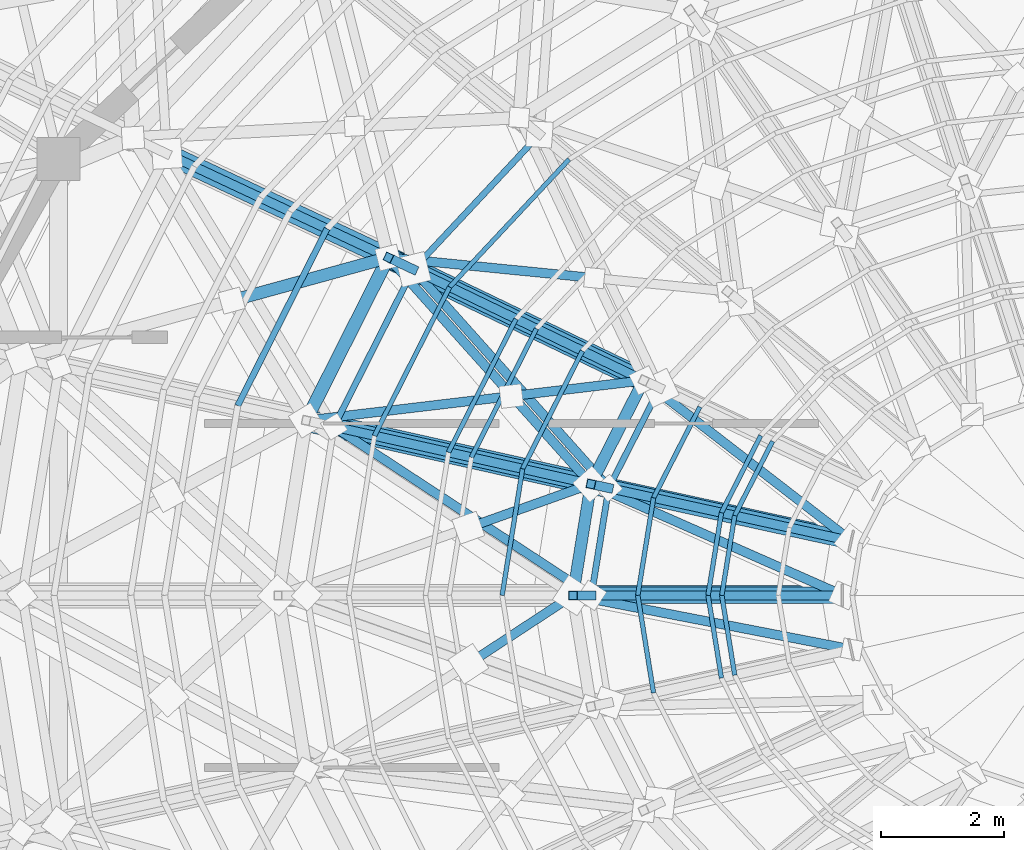
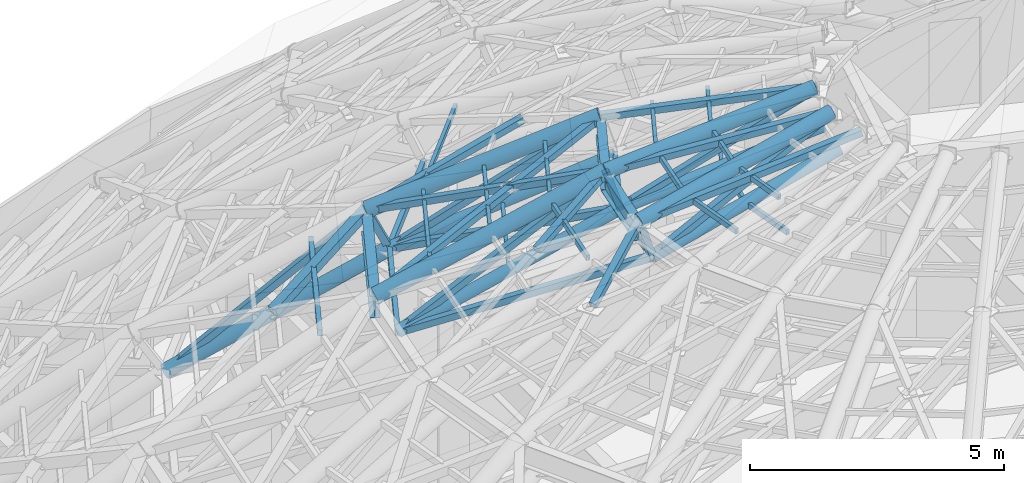
# One storey, part 12 of 50: 49 members, 3 beams.
"""IFC4 building model written with IfcOpenShell, lengths in metres."""

from ifc_helpers import new_model, si_unit, direction, frame, origin, origin_2d, place, context, subcontext, project, spatial, hollow_rectangle, hollow_circle, i_section, extrude, material, material_profile, profile_set, type_object, element, save


model = new_model("IFC4")

# Units and contexts
model_context = context("Model", 3, precision=1e-05, world=origin(), true_north=direction((0.0, 1.0)))
body_context = subcontext(model_context, "Body", "Model", "MODEL_VIEW")
ifc_project = project(units=[si_unit("LENGTHUNIT", "METRE"), si_unit("AREAUNIT", "SQUARE_METRE"), si_unit("VOLUMEUNIT", "CUBIC_METRE"), si_unit("PLANEANGLEUNIT", "RADIAN"), si_unit("MASSUNIT", "GRAM", prefix="KILO")], contexts=[model_context])

# Site, building, storey
site_placement = place(None, origin())
site = spatial("IfcSite", under=ifc_project, at=site_placement, CompositionType="ELEMENT")
building_placement = place(site_placement, origin())
building = spatial("IfcBuilding", under=site, at=building_placement, Name="Cinderbank Siding Concert Hall", CompositionType="ELEMENT")
storey_placement = place(building_placement, frame((0.0, 0.0, 23.699951171875)))
storey = spatial("IfcBuildingStorey", under=building, at=storey_placement, Name="L06", CompositionType="ELEMENT", Elevation=23.699951171875)

# Beams
ifc_material_1 = material(Name="Structural steel AS/NZS 3679.1 Grade 350 (340 MPa)", Category="steel")
ifc_material_profile_1 = material_profile(ifc_material_1, i_section(OverallWidth=0.19091796875, OverallDepth=0.46044921875, WebThickness=0.010009765625, FlangeThickness=0.01611328125, at=origin_2d()), Name="460UB82.1", Category="LoadBearing")
ifc_profile_set_1 = profile_set([ifc_material_profile_1], Name="Structural steel AS/NZS 3679.1 Grade 350 (340 MPa)")
beam_type_1 = type_object("IfcBeamType", Name="BM-UB460H 460UB82.1", PredefinedType="BEAM", material=ifc_profile_set_1)
beam_1_placement = place(storey_placement, frame((114.55224609375, 47.5, 15.769775390625), z_axis=(-0.453543458503, -0.89123416185, 0.0), x_axis=(0.89123416185, -0.453543458503, 0.0)))
element("IfcBeam", 1, at=beam_1_placement, inside=storey, type_object=beam_type_1, Name="L06 Beam BM-UB460H #2098", PredefinedType="BEAM", context=body_context, shape_type="SweptSolid", body=[
    extrude(i_section(OverallWidth=0.19091796875, OverallDepth=0.46044921875, WebThickness=0.010009765625, FlangeThickness=0.01611328125, at=origin_2d()), origin(), (0.0, 0.0, 1.0), 1.894287109375),
])
beam_2_placement = place(storey_placement, frame((113.693115234375, 45.811767578125, 15.769775390625), z_axis=(-0.159759377385, -0.987155986325, 0.0), x_axis=(0.987155986325, -0.159759377385, 0.0)))
element("IfcBeam", 2, at=beam_2_placement, inside=storey, type_object=beam_type_1, Name="L06 Beam BM-UB460H #2099", PredefinedType="BEAM", context=body_context, shape_type="SweptSolid", body=[
    extrude(i_section(OverallWidth=0.19091796875, OverallDepth=0.46044921875, WebThickness=0.010009765625, FlangeThickness=0.01611328125, at=origin_2d()), origin(), (0.0, 0.0, 1.0), 1.83544921875),
])
ifc_material_profile_2 = material_profile(ifc_material_1, i_section(OverallWidth=0.208984375, OverallDepth=0.532958984375, WebThickness=0.01025390625, FlangeThickness=0.015625, at=origin_2d()), Name="530UB92.4", Category="LoadBearing")
ifc_profile_set_2 = profile_set([ifc_material_profile_2], Name="Structural steel AS/NZS 3679.1 Grade 350 (340 MPa)")
beam_type_2 = type_object("IfcBeamType", Name="BM-UB530H 530UB92.4", PredefinedType="BEAM", material=ifc_profile_set_2)
beam_3_placement = place(storey_placement, frame((110.395263671875, 49.5, 13.733642578125), z_axis=(-0.450464034006, -0.892794575514, 0.0), x_axis=(0.892794575514, -0.450464034006, 0.0)))
element("IfcBeam", 3, at=beam_3_placement, inside=storey, type_object=beam_type_2, Name="L06 Beam BM-UB530H #2080", PredefinedType="BEAM", context=body_context, shape_type="SweptSolid", body=[
    extrude(i_section(OverallWidth=0.208984375, OverallDepth=0.532958984375, WebThickness=0.01025390625, FlangeThickness=0.015625, at=origin_2d()), origin(), (0.0, 0.0, 1.0), 2.9716796875),
])

# Members
ifc_material_2 = material(Name="Structural steel hollow section AS/NZS 1163 Grade C350L0 (350 MPa)", Category="steel")
ifc_material_profile_3 = material_profile(ifc_material_2, hollow_rectangle(XDim=0.14990234375, YDim=0.14990234375, WallThickness=0.008056640625, at=origin_2d()), Name="150x150x8.0SHS", Category="LoadBearing")
ifc_profile_set_3 = profile_set([ifc_material_profile_3], Name="Structural steel hollow section AS/NZS 1163 Grade C350L0 (350 MPa)")
member_type_1 = type_object("IfcMemberType", Name="BR-SHS150 150x150x8.0SHS Roof Truss", PredefinedType="BRACE", material=ifc_profile_set_3)
member_1_placement = place(storey_placement, frame((106.7900390625, 51.189208984375, 10.35009765625), z_axis=(0.667487033286, -0.312747530528, 0.675758864199), x_axis=(0.424281475466, 0.905530358175, 0.0)))
element("IfcMember", 4, at=member_1_placement, inside=storey, type_object=member_type_1, Name="L06 Diagonal Brace BR-SHS150 #DWBD-BR-SHS150-L06-1226", PredefinedType="BRACE", context=body_context, shape_type="SweptSolid", body=[
    extrude(hollow_rectangle(XDim=0.14990234375, YDim=0.14990234375, WallThickness=0.008056640625, at=origin_2d()), origin(), (0.0, 0.0, 1.0), 5.401123046875),
])
member_2_placement = place(storey_placement, frame((110.395263671875, 49.5, 14.0), z_axis=(0.936162837544, -0.093275613144, 0.338967257408), x_axis=(0.09914518972, 0.995072977904, 0.0)))
element("IfcMember", 5, at=member_2_placement, inside=storey, type_object=member_type_1, Name="L06 Diagonal Brace BR-SHS150 #DBRO-BR-SHS150-L06-1510", PredefinedType="BRACE", context=body_context, shape_type="SweptSolid", body=[
    extrude(hollow_rectangle(XDim=0.14990234375, YDim=0.14990234375, WallThickness=0.008056640625, at=origin_2d()), origin(), (0.0, 0.0, 1.0), 3.583251953125),
])
member_3_placement = place(storey_placement, frame((110.801513671875, 49.3076171875, 13.050048828125), z_axis=(0.73504663537, -0.354246259733, 0.578114202641), x_axis=(0.434148801716, 0.900841172443, 0.0)))
element("IfcMember", 6, at=member_3_placement, inside=storey, type_object=member_type_1, Name="L06 Diagonal Brace BR-SHS150 #DWBD-BR-SHS150-L06-1514", PredefinedType="BRACE", context=body_context, shape_type="SweptSolid", body=[
    extrude(hollow_rectangle(XDim=0.14990234375, YDim=0.14990234375, WallThickness=0.008056640625, at=origin_2d()), origin(), (0.0, 0.0, 1.0), 5.102783203125),
])
member_4_placement = place(storey_placement, frame((110.801513671875, 49.3076171875, 13.050048828125), z_axis=(-0.386561752789, 0.183059291585, 0.903913329388), x_axis=(-0.427992952164, -0.903782071574, 0.0)))
element("IfcMember", 7, at=member_4_placement, inside=storey, type_object=member_type_1, Name="L06 Diagonal Brace BR-SHS150 #DWBV-BR-SHS150-L06-1517", PredefinedType="BRACE", context=body_context, shape_type="SweptSolid", body=[
    extrude(hollow_rectangle(XDim=0.14990234375, YDim=0.14990234375, WallThickness=0.008056640625, at=origin_2d()), origin(), (0.0, 0.0, 1.0), 1.051025390625),
])
member_5_placement = place(storey_placement, frame((110.395263671875, 49.5, 14.0), z_axis=(0.617973178116, -0.691125318463, 0.374773191822), x_axis=(0.745456798918, 0.666553944514, 0.0)))
element("IfcMember", 8, at=member_5_placement, inside=storey, type_object=member_type_1, Name="L06 Diagonal Brace BR-SHS150 #DBRO-BR-SHS150-L06-1521", PredefinedType="BRACE", context=body_context, shape_type="SweptSolid", body=[
    extrude(hollow_rectangle(XDim=0.14990234375, YDim=0.14990234375, WallThickness=0.008056640625, at=origin_2d()), origin(), (0.0, 0.0, 1.0), 5.336669921875),
])
member_6_placement = place(storey_placement, frame((109.056640625, 46.846923828125, 14.0), z_axis=(0.93389252243, 0.110977800298, 0.339895107922), x_axis=(-0.118003322633, 0.993013200238, 0.0)))
element("IfcMember", 9, at=member_6_placement, inside=storey, type_object=member_type_1, Name="L06 Diagonal Brace BR-SHS150 #DBRO-BR-SHS150-L06-1522", PredefinedType="BRACE", context=body_context, shape_type="SweptSolid", body=[
    extrude(hollow_rectangle(XDim=0.14990234375, YDim=0.14990234375, WallThickness=0.008056640625, at=origin_2d()), origin(), (0.0, 0.0, 1.0), 3.5771484375),
])
member_7_placement = place(storey_placement, frame((112.42529296875, 47.247314453125, 15.225830078125), z_axis=(0.933888070446, 0.110947446386, 0.339917248781), x_axis=(-0.117972050955, 0.993016915865, 0.0)))
element("IfcMember", 10, at=member_7_placement, inside=storey, type_object=member_type_1, Name="L06 Diagonal Brace BR-SHS150 #DBRO-BR-SHS150-L06-1522-S139", PredefinedType="BRACE", context=body_context, shape_type="SweptSolid", body=[
    extrude(hollow_rectangle(XDim=0.14990234375, YDim=0.14990234375, WallThickness=0.008056640625, at=origin_2d()), origin(), (0.0, 0.0, 1.0), 2.277587890625),
])
member_8_placement = place(storey_placement, frame((110.801513671875, 49.3076171875, 13.050048828125), z_axis=(0.614771411868, -0.687591286047, 0.386360368701), x_axis=(0.745479313426, 0.666528764011, 0.0)))
element("IfcMember", 11, at=member_8_placement, inside=storey, type_object=member_type_1, Name="L06 Diagonal Brace BR-SHS150 #DBRI-BR-SHS150-L06-1523", PredefinedType="BRACE", context=body_context, shape_type="SweptSolid", body=[
    extrude(hollow_rectangle(XDim=0.14990234375, YDim=0.14990234375, WallThickness=0.008056640625, at=origin_2d()), origin(), (0.0, 0.0, 1.0), 5.176513671875),
])
member_9_placement = place(storey_placement, frame((109.509521484375, 46.747314453125, 13.050048828125), z_axis=(0.803944085996, -0.179780213442, 0.566880041497), x_axis=(0.218232746795, 0.975896750802, 0.0)))
element("IfcMember", 12, at=member_9_placement, inside=storey, type_object=member_type_1, Name="L06 Diagonal Brace BR-SHS150 #DWBD-BR-SHS150-L06-1526", PredefinedType="BRACE", context=body_context, shape_type="SweptSolid", body=[
    extrude(hollow_rectangle(XDim=0.14990234375, YDim=0.14990234375, WallThickness=0.008056640625, at=origin_2d()), origin(), (0.0, 0.0, 1.0), 5.203857421875),
])
member_10_placement = place(storey_placement, frame((111.724853515625, 45.111572265625, 15.22705078125), z_axis=(0.883617226617, 0.314340635814, 0.347002249996), x_axis=(-0.335166438273, 0.942158934923, 0.0)))
element("IfcMember", 13, at=member_10_placement, inside=storey, type_object=member_type_1, Name="L06 Diagonal Brace BR-SHS150 #DBRO-BR-SHS150-L06-1534-S140", PredefinedType="BRACE", context=body_context, shape_type="SweptSolid", body=[
    extrude(hollow_rectangle(XDim=0.14990234375, YDim=0.14990234375, WallThickness=0.008056640625, at=origin_2d()), origin(), (0.0, 0.0, 1.0), 2.2275390625),
])
member_11_placement = place(storey_placement, frame((109.509521484375, 46.747314453125, 13.050048828125), z_axis=(0.776777634461, -0.509149506092, 0.370652515232), x_axis=(0.548196669486, 0.83634945541, 0.0)))
element("IfcMember", 14, at=member_11_placement, inside=storey, type_object=member_type_1, Name="L06 Diagonal Brace BR-SHS150 #DBRI-BR-SHS150-L06-1535", PredefinedType="BRACE", context=body_context, shape_type="SweptSolid", body=[
    extrude(hollow_rectangle(XDim=0.14990234375, YDim=0.14990234375, WallThickness=0.008056640625, at=origin_2d()), origin(), (0.0, 0.0, 1.0), 5.39599609375),
])
member_12_placement = place(storey_placement, frame((111.722900390625, 42.90087890625, 15.227783203125), z_axis=(0.780488897284, 0.511538945345, 0.359395309668), x_axis=(-0.548164318998, 0.836370659084, 0.0)))
element("IfcMember", 15, at=member_12_placement, inside=storey, type_object=member_type_1, Name="L06 Diagonal Brace BR-SHS150 #DBRO-BR-SHS150-L06-1546-S141", PredefinedType="BRACE", context=body_context, shape_type="SweptSolid", body=[
    extrude(hollow_rectangle(XDim=0.14990234375, YDim=0.14990234375, WallThickness=0.008056640625, at=origin_2d()), origin(), (0.0, 0.0, 1.0), 2.148681640625),
])
member_13_placement = place(storey_placement, frame((114.55224609375, 47.5, 16.0), z_axis=(0.76644300315, -0.592228836475, 0.248656647145), x_axis=(0.611432907661, 0.791296277907, 0.0)))
element("IfcMember", 16, at=member_13_placement, inside=storey, type_object=member_type_1, Name="L06 Diagonal Brace BR-SHS150 #DBRO-BR-SHS150-L06-1789", PredefinedType="BRACE", context=body_context, shape_type="SweptSolid", body=[
    extrude(hollow_rectangle(XDim=0.14990234375, YDim=0.14990234375, WallThickness=0.008056640625, at=origin_2d()), origin(), (0.0, 0.0, 1.0), 4.424072265625),
])
member_14_placement = place(storey_placement, frame((113.98388671875, 45.748291015625, 15.050048828125), z_axis=(0.871638691427, -0.191183253709, 0.451325774922), x_axis=(0.214244713717, 0.976780017529, 0.0)))
element("IfcMember", 17, at=member_14_placement, inside=storey, type_object=member_type_1, Name="L06 Diagonal Brace BR-SHS150 #DWBD-BR-SHS150-L06-1792", PredefinedType="BRACE", context=body_context, shape_type="SweptSolid", body=[
    extrude(hollow_rectangle(XDim=0.14990234375, YDim=0.14990234375, WallThickness=0.008056640625, at=origin_2d()), origin(), (0.0, 0.0, 1.0), 4.542236328125),
])
member_15_placement = place(storey_placement, frame((113.98388671875, 45.748291015625, 15.050048828125), z_axis=(-0.292091130576, 0.063764646473, 0.954262459337), x_axis=(-0.213280969958, -0.976990904693, 0.0)))
element("IfcMember", 18, at=member_15_placement, inside=storey, type_object=member_type_1, Name="L06 Diagonal Brace BR-SHS150 #DWBV-BR-SHS150-L06-1795", PredefinedType="BRACE", context=body_context, shape_type="SweptSolid", body=[
    extrude(hollow_rectangle(XDim=0.14990234375, YDim=0.14990234375, WallThickness=0.008056640625, at=origin_2d()), origin(), (0.0, 0.0, 1.0), 0.995361328125),
])
member_16_placement = place(storey_placement, frame((113.693115234375, 45.811767578125, 16.0), z_axis=(0.88862989198, -0.392017740363, 0.238031523794), x_axis=(0.403618781795, 0.914927253383, 0.0)))
element("IfcMember", 19, at=member_16_placement, inside=storey, type_object=member_type_1, Name="L06 Diagonal Brace BR-SHS150 #DBRO-BR-SHS150-L06-1799", PredefinedType="BRACE", context=body_context, shape_type="SweptSolid", body=[
    extrude(hollow_rectangle(XDim=0.14990234375, YDim=0.14990234375, WallThickness=0.008056640625, at=origin_2d()), origin(), (0.0, 0.0, 1.0), 4.62158203125),
])
member_17_placement = place(storey_placement, frame((113.700927734375, 44.0, 15.050048828125), z_axis=(0.894384571831, 0.0, 0.447298823685), x_axis=(0.0, 1.0, 0.0)))
element("IfcMember", 20, at=member_17_placement, inside=storey, type_object=member_type_1, Name="L06 Diagonal Brace BR-SHS150 #DWBD-BR-SHS150-L06-1802", PredefinedType="BRACE", context=body_context, shape_type="SweptSolid", body=[
    extrude(hollow_rectangle(XDim=0.14990234375, YDim=0.14990234375, WallThickness=0.008056640625, at=origin_2d()), origin(), (0.0, 0.0, 1.0), 4.583251953125),
])
member_18_placement = place(storey_placement, frame((113.700927734375, 44.0, 15.050048828125), z_axis=(-0.302080966604, 0.0, 0.953282271741), x_axis=(0.0, -1.0, 0.0)))
element("IfcMember", 21, at=member_18_placement, inside=storey, type_object=member_type_1, Name="L06 Diagonal Brace BR-SHS150 #DWBV-BR-SHS150-L06-1805", PredefinedType="BRACE", context=body_context, shape_type="SweptSolid", body=[
    extrude(hollow_rectangle(XDim=0.14990234375, YDim=0.14990234375, WallThickness=0.008056640625, at=origin_2d()), origin(), (0.0, 0.0, 1.0), 0.99658203125),
])
member_19_placement = place(storey_placement, frame((113.39990234375, 44.0, 16.0), z_axis=(0.955139820182, -0.184981670801, 0.231278415269), x_axis=(0.190136732743, 0.981757619202, 0.0)))
element("IfcMember", 22, at=member_19_placement, inside=storey, type_object=member_type_1, Name="L06 Diagonal Brace BR-SHS150 #DBRO-BR-SHS150-L06-1809", PredefinedType="BRACE", context=body_context, shape_type="SweptSolid", body=[
    extrude(hollow_rectangle(XDim=0.14990234375, YDim=0.14990234375, WallThickness=0.008056640625, at=origin_2d()), origin(), (0.0, 0.0, 1.0), 4.756591796875),
])
ifc_material_profile_4 = material_profile(ifc_material_2, hollow_rectangle(XDim=0.199951171875, YDim=0.199951171875, WallThickness=0.009033203125, at=origin_2d()), Name="200x200x9.0SHS", Category="LoadBearing")
ifc_profile_set_4 = profile_set([ifc_material_profile_4], Name="Structural steel hollow section AS/NZS 1163 Grade C350L0 (350 MPa)")
member_type_2 = type_object("IfcMemberType", Name="BR-SHS200 200x200x9.0SHS Roof Truss", PredefinedType="BRACE", material=ifc_profile_set_4)
member_20_placement = place(storey_placement, frame((107.872314453125, 48.805908203125, 12.860107421875), z_axis=(0.883946288199, 0.243183597576, 0.39937538413), x_axis=(-0.265256234539, 0.964177955586, 0.0)))
element("IfcMember", 23, at=member_20_placement, inside=storey, type_object=member_type_2, Name="L06 Diagonal Brace BR-SHS200 #DBRO-BR-SHS200-L06-1234-S115", PredefinedType="BRACE", context=body_context, shape_type="SweptSolid", body=[
    extrude(hollow_rectangle(XDim=0.199951171875, YDim=0.199951171875, WallThickness=0.009033203125, at=origin_2d()), origin(), (0.0, 0.0, 1.0), 2.854248046875),
])
ifc_material_profile_5 = material_profile(ifc_material_2, hollow_circle(Radius=0.136474609375, WallThickness=0.00927734375, at=origin_2d()), Name="273.1x9.3CHS", Category="LoadBearing")
ifc_profile_set_5 = profile_set([ifc_material_profile_5], Name="Structural steel hollow section AS/NZS 1163 Grade C350L0 (350 MPa)")
member_type_3 = type_object("IfcMemberType", Name="DR-CHS273 273.1x9.3CHS Roof Truss", PredefinedType="RAFTER", material=ifc_profile_set_5)
member_21_placement = place(storey_placement, frame((110.801513671875, 49.3076171875, 13.050048828125), z_axis=(0.821969865668, -0.395502024099, 0.409809332332), x_axis=(0.433583104799, 0.90111358398, 0.0)))
element("IfcMember", 24, at=member_21_placement, inside=storey, type_object=member_type_3, Name="L06 Roof Truss Member DR-CHS273 #1513", PredefinedType="RAFTER", context=body_context, shape_type="SweptSolid", body=[
    extrude(hollow_circle(Radius=0.136474609375, WallThickness=0.00927734375, at=origin_2d()), origin(), (0.0, 0.0, 1.0), 4.88037109375),
])
member_22_placement = place(storey_placement, frame((109.509521484375, 46.747314453125, 13.050048828125), z_axis=(0.894551208045, -0.199732828249, 0.399856141011), x_axis=(0.217911457285, 0.975968542927, 0.0)))
element("IfcMember", 25, at=member_22_placement, inside=storey, type_object=member_type_3, Name="L06 Roof Truss Member DR-CHS273 #1525", PredefinedType="RAFTER", context=body_context, shape_type="SweptSolid", body=[
    extrude(hollow_circle(Radius=0.136474609375, WallThickness=0.00927734375, at=origin_2d()), origin(), (0.0, 0.0, 1.0), 5.001708984375),
])
member_23_placement = place(storey_placement, frame((113.98388671875, 45.748291015625, 15.050048828125), z_axis=(0.944905566879, -0.207160378762, 0.253452258132), x_axis=(0.214152922142, 0.976800146365, 0.0)))
element("IfcMember", 26, at=member_23_placement, inside=storey, type_object=member_type_3, Name="L06 Roof Truss Member DR-CHS273 #1791", PredefinedType="RAFTER", context=body_context, shape_type="SweptSolid", body=[
    extrude(hollow_circle(Radius=0.136474609375, WallThickness=0.00927734375, at=origin_2d()), origin(), (0.0, 0.0, 1.0), 4.34033203125),
])
member_24_placement = place(storey_placement, frame((113.700927734375, 44.0, 15.050048828125), z_axis=(0.968037950521, 0.0, 0.25080376064), x_axis=(0.0, 1.0, 0.0)))
element("IfcMember", 27, at=member_24_placement, inside=storey, type_object=member_type_3, Name="L06 Roof Truss Member DR-CHS273 #1801", PredefinedType="RAFTER", context=body_context, shape_type="SweptSolid", body=[
    extrude(hollow_circle(Radius=0.136474609375, WallThickness=0.00927734375, at=origin_2d()), origin(), (0.0, 0.0, 1.0), 4.38623046875),
])
ifc_material_profile_6 = material_profile(ifc_material_2, hollow_circle(Radius=0.161865234375, WallThickness=0.0126953125, at=origin_2d()), Name="323.9x12.7CHS", Category="LoadBearing")
ifc_profile_set_6 = profile_set([ifc_material_profile_6], Name="Structural steel hollow section AS/NZS 1163 Grade C350L0 (350 MPa)")
member_type_4 = type_object("IfcMemberType", Name="DR-CHS323 323.9x12.7CHS Roof Truss", PredefinedType="RAFTER", material=ifc_profile_set_6)
member_25_placement = place(storey_placement, frame((106.7900390625, 51.189208984375, 10.35009765625), z_axis=(0.773125439338, -0.362636343557, 0.520357509199), x_axis=(0.424658323183, 0.905353692516, 0.0)))
element("IfcMember", 28, at=member_25_placement, inside=storey, type_object=member_type_4, Name="L06 Roof Truss Member DR-CHS323 #1225", PredefinedType="RAFTER", context=body_context, shape_type="SweptSolid", body=[
    extrude(hollow_circle(Radius=0.161865234375, WallThickness=0.0126953125, at=origin_2d()), origin(), (0.0, 0.0, 1.0), 5.188720703125),
])
member_26_placement = place(storey_placement, frame((113.693115234375, 45.811767578125, 16.0), z_axis=(0.947001175826, -0.207601681046, 0.245133259699), x_axis=(0.214135071865, 0.976804059675, 0.0)))
element("IfcMember", 29, at=member_26_placement, inside=storey, type_object=member_type_4, Name="L06 Roof Truss Member DR-CHS323 #1790", PredefinedType="RAFTER", context=body_context, shape_type="SweptSolid", body=[
    extrude(hollow_circle(Radius=0.161865234375, WallThickness=0.0126953125, at=origin_2d()), origin(), (0.0, 0.0, 1.0), 4.455810546875),
])
member_27_placement = place(storey_placement, frame((113.39990234375, 44.0, 16.0), z_axis=(0.970142500145, 0.0, 0.242535625036), x_axis=(0.0, 1.0, 0.0)))
element("IfcMember", 30, at=member_27_placement, inside=storey, type_object=member_type_4, Name="L06 Roof Truss Member DR-CHS323 #1800", PredefinedType="RAFTER", context=body_context, shape_type="SweptSolid", body=[
    extrude(hollow_circle(Radius=0.161865234375, WallThickness=0.0126953125, at=origin_2d()), origin(), (0.0, 0.0, 1.0), 4.503662109375),
])
ifc_material_profile_7 = material_profile(ifc_material_2, hollow_circle(Radius=0.177734375, WallThickness=0.0126953125, at=origin_2d()), Name="355.6x12.7CHS", Category="LoadBearing")
ifc_profile_set_7 = profile_set([ifc_material_profile_7], Name="Structural steel hollow section AS/NZS 1163 Grade C350L0 (350 MPa)")
member_type_5 = type_object("IfcMemberType", Name="DR-CHS355 355.6x12.7CHS Roof Truss", PredefinedType="RAFTER", material=ifc_profile_set_7)
member_28_placement = place(storey_placement, frame((110.395263671875, 49.5, 14.0), z_axis=(0.826771188682, -0.397774685951, 0.397774685951), x_axis=(0.433549862305, 0.901129578304, 0.0)))
element("IfcMember", 31, at=member_28_placement, inside=storey, type_object=member_type_5, Name="L06 Roof Truss Member DR-CHS355 #1512", PredefinedType="RAFTER", context=body_context, shape_type="SweptSolid", body=[
    extrude(hollow_circle(Radius=0.177734375, WallThickness=0.0126953125, at=origin_2d()), origin(), (0.0, 0.0, 1.0), 5.028076171875),
])
member_29_placement = place(storey_placement, frame((109.056640625, 46.846923828125, 14.0), z_axis=(0.899507554833, -0.200827340977, 0.388013579548), x_axis=(0.217898925062, 0.975971341002, 0.0)))
element("IfcMember", 32, at=member_29_placement, inside=storey, type_object=member_type_5, Name="L06 Roof Truss Member DR-CHS355 #1524", PredefinedType="RAFTER", context=body_context, shape_type="SweptSolid", body=[
    extrude(hollow_circle(Radius=0.177734375, WallThickness=0.0126953125, at=origin_2d()), origin(), (0.0, 0.0, 1.0), 5.154541015625),
])
ifc_material_profile_8 = material_profile(ifc_material_2, hollow_rectangle(XDim=0.074951171875, YDim=0.125, WallThickness=0.0048828125, at=origin_2d()), Name="125x75x5.0RHS", Category="LoadBearing")
ifc_profile_set_8 = profile_set([ifc_material_profile_8], Name="Structural steel hollow section AS/NZS 1163 Grade C350L0 (350 MPa)")
member_type_6 = type_object("IfcMemberType", Name="PR-RHS125 125x75x5.0RHS Roof Truss", PredefinedType="PURLIN", material=ifc_profile_set_8)
member_30_placement = place(storey_placement, frame((113.33935546875, 51.099365234375, 14.47998046875), z_axis=(-0.68336207894, -0.730079632004, 0.0), x_axis=(0.730079632004, -0.68336207894, 0.0)))
element("IfcMember", 33, at=member_30_placement, inside=storey, type_object=member_type_6, Name="L06 Roof Truss Member PR-RHS125 #1506", PredefinedType="PURLIN", context=body_context, shape_type="SweptSolid", body=[
    extrude(hollow_rectangle(XDim=0.074951171875, YDim=0.125, WallThickness=0.0048828125, at=origin_2d()), origin(), (0.0, 0.0, 1.0), 2.84814453125),
])
member_31_placement = place(storey_placement, frame((112.80712890625, 48.342529296875, 14.050048828125), z_axis=(-0.451699999608, -0.892169888729, 0.0), x_axis=(0.892169888729, -0.451699999608, 0.0)))
element("IfcMember", 34, at=member_31_placement, inside=storey, type_object=member_type_6, Name="L06 Roof Truss Member PR-RHS125 #1516", PredefinedType="PURLIN", context=body_context, shape_type="SweptSolid", body=[
    extrude(hollow_rectangle(XDim=0.074951171875, YDim=0.125, WallThickness=0.0048828125, at=origin_2d()), origin(), (0.0, 0.0, 1.0), 2.347900390625),
])
member_32_placement = place(storey_placement, frame((111.39306640625, 49.02001953125, 14.47998046875), z_axis=(-0.451060515415, -0.892493367725, 0.0), x_axis=(0.892493367725, -0.451060515415, 0.0)))
element("IfcMember", 35, at=member_32_placement, inside=storey, type_object=member_type_6, Name="L06 Roof Truss Member PR-RHS125 #1518", PredefinedType="PURLIN", context=body_context, shape_type="SweptSolid", body=[
    extrude(hollow_rectangle(XDim=0.074951171875, YDim=0.125, WallThickness=0.0048828125, at=origin_2d()), origin(), (0.0, 0.0, 1.0), 2.71337890625),
])
member_33_placement = place(storey_placement, frame((112.4736328125, 48.5, 15.0), z_axis=(-0.451663469809, -0.892188382597, 0.0), x_axis=(0.892188382597, -0.451663469809, 0.0)))
element("IfcMember", 36, at=member_33_placement, inside=storey, type_object=member_type_6, Name="L06 Roof Truss Member PR-RHS125 #1519", PredefinedType="PURLIN", context=body_context, shape_type="SweptSolid", body=[
    extrude(hollow_rectangle(XDim=0.074951171875, YDim=0.125, WallThickness=0.0048828125, at=origin_2d()), origin(), (0.0, 0.0, 1.0), 2.432861328125),
])
member_34_placement = place(storey_placement, frame((113.554443359375, 47.97998046875, 15.52001953125), z_axis=(-0.452513397216, -0.891757604588, 0.0), x_axis=(0.891757604588, -0.452513397216, 0.0)))
element("IfcMember", 37, at=member_34_placement, inside=storey, type_object=member_type_6, Name="L06 Roof Truss Member PR-RHS125 #1520", PredefinedType="PURLIN", context=body_context, shape_type="SweptSolid", body=[
    extrude(hollow_rectangle(XDim=0.074951171875, YDim=0.125, WallThickness=0.0048828125, at=origin_2d()), origin(), (0.0, 0.0, 1.0), 2.152587890625),
])
member_35_placement = place(storey_placement, frame((112.580322265625, 46.060302734375, 15.52001953125), z_axis=(-0.159217726592, -0.987243493541, 0.0), x_axis=(0.987243493541, -0.159217726592, 0.0)))
element("IfcMember", 38, at=member_35_placement, inside=storey, type_object=member_type_6, Name="L06 Roof Truss Member PR-RHS125 #1532", PredefinedType="PURLIN", context=body_context, shape_type="SweptSolid", body=[
    extrude(hollow_rectangle(XDim=0.074951171875, YDim=0.125, WallThickness=0.0048828125, at=origin_2d()), origin(), (0.0, 0.0, 1.0), 2.0869140625),
])
member_36_placement = place(storey_placement, frame((116.6513671875, 46.509033203125, 15.60009765625), z_axis=(-0.454100748622, -0.890950340985, 0.0), x_axis=(0.890950340985, -0.454100748622, 0.0)))
element("IfcMember", 39, at=member_36_placement, inside=storey, type_object=member_type_6, Name="L06 Roof Truss Member PR-RHS125 #1784", PredefinedType="PURLIN", context=body_context, shape_type="SweptSolid", body=[
    extrude(hollow_rectangle(XDim=0.074951171875, YDim=0.125, WallThickness=0.0048828125, at=origin_2d()), origin(), (0.0, 0.0, 1.0), 1.358642578125),
])
member_37_placement = place(storey_placement, frame((115.466796875, 47.068115234375, 16.26416015625), z_axis=(-0.453903761928, -0.891050713993, 0.0), x_axis=(0.891050713993, -0.453903761928, 0.0)))
element("IfcMember", 40, at=member_37_placement, inside=storey, type_object=member_type_6, Name="L06 Roof Truss Member PR-RHS125 #1786", PredefinedType="PURLIN", context=body_context, shape_type="SweptSolid", body=[
    extrude(hollow_rectangle(XDim=0.074951171875, YDim=0.125, WallThickness=0.0048828125, at=origin_2d()), origin(), (0.0, 0.0, 1.0), 1.660888671875),
])
member_38_placement = place(storey_placement, frame((116.45751953125, 46.60009765625, 16.550048828125), z_axis=(-0.454136172601, -0.890932285157, 0.0), x_axis=(0.890932285157, -0.454136172601, 0.0)))
element("IfcMember", 41, at=member_38_placement, inside=storey, type_object=member_type_6, Name="L06 Roof Truss Member PR-RHS125 #1787", PredefinedType="PURLIN", context=body_context, shape_type="SweptSolid", body=[
    extrude(hollow_rectangle(XDim=0.074951171875, YDim=0.125, WallThickness=0.0048828125, at=origin_2d()), origin(), (0.0, 0.0, 1.0), 1.407958984375),
])
member_39_placement = place(storey_placement, frame((116.034423828125, 45.298583984375, 15.60009765625), z_axis=(-0.159973412457, -0.987121323499, 0.0), x_axis=(0.987121323499, -0.159973412457, 0.0)))
element("IfcMember", 42, at=member_39_placement, inside=storey, type_object=member_type_6, Name="L06 Roof Truss Member PR-RHS125 #1794", PredefinedType="PURLIN", context=body_context, shape_type="SweptSolid", body=[
    extrude(hollow_rectangle(XDim=0.074951171875, YDim=0.125, WallThickness=0.0048828125, at=origin_2d()), origin(), (0.0, 0.0, 1.0), 1.3154296875),
])
member_40_placement = place(storey_placement, frame((114.712890625, 45.588134765625, 16.26416015625), z_axis=(-0.159647522591, -0.987174082181, 0.0), x_axis=(0.987174082181, -0.159647522591, 0.0)))
element("IfcMember", 43, at=member_40_placement, inside=storey, type_object=member_type_6, Name="L06 Roof Truss Member PR-RHS125 #1796", PredefinedType="PURLIN", context=body_context, shape_type="SweptSolid", body=[
    extrude(hollow_rectangle(XDim=0.074951171875, YDim=0.125, WallThickness=0.0048828125, at=origin_2d()), origin(), (0.0, 0.0, 1.0), 1.60888671875),
])
member_41_placement = place(storey_placement, frame((115.818115234375, 45.345703125, 16.550048828125), z_axis=(-0.159924955283, -0.987129175274, 0.0), x_axis=(0.987129175274, -0.159924955283, 0.0)))
element("IfcMember", 44, at=member_41_placement, inside=storey, type_object=member_type_6, Name="L06 Roof Truss Member PR-RHS125 #1797", PredefinedType="PURLIN", context=body_context, shape_type="SweptSolid", body=[
    extrude(hollow_rectangle(XDim=0.074951171875, YDim=0.125, WallThickness=0.0048828125, at=origin_2d()), origin(), (0.0, 0.0, 1.0), 1.36328125),
])
member_42_placement = place(storey_placement, frame((115.823974609375, 44.0, 15.60009765625), z_axis=(0.159973412457, -0.987121323499, 0.0), x_axis=(0.987121323499, 0.159973412457, 0.0)))
element("IfcMember", 45, at=member_42_placement, inside=storey, type_object=member_type_6, Name="L06 Roof Truss Member PR-RHS125 #1804", PredefinedType="PURLIN", context=body_context, shape_type="SweptSolid", body=[
    extrude(hollow_rectangle(XDim=0.074951171875, YDim=0.125, WallThickness=0.0048828125, at=origin_2d()), origin(), (0.0, 0.0, 1.0), 1.3154296875),
])
member_43_placement = place(storey_placement, frame((114.4560546875, 44.0, 16.26416015625), z_axis=(0.159647522591, -0.987174082181, 0.0), x_axis=(0.987174082181, 0.159647522591, 0.0)))
element("IfcMember", 46, at=member_43_placement, inside=storey, type_object=member_type_6, Name="L06 Roof Truss Member PR-RHS125 #1806", PredefinedType="PURLIN", context=body_context, shape_type="SweptSolid", body=[
    extrude(hollow_rectangle(XDim=0.074951171875, YDim=0.125, WallThickness=0.0048828125, at=origin_2d()), origin(), (0.0, 0.0, 1.0), 1.60888671875),
])
member_44_placement = place(storey_placement, frame((115.60009765625, 44.0, 16.550048828125), z_axis=(0.159924955283, -0.987129175274, 0.0), x_axis=(0.987129175274, 0.159924955283, 0.0)))
element("IfcMember", 47, at=member_44_placement, inside=storey, type_object=member_type_6, Name="L06 Roof Truss Member PR-RHS125 #1807", PredefinedType="PURLIN", context=body_context, shape_type="SweptSolid", body=[
    extrude(hollow_rectangle(XDim=0.074951171875, YDim=0.125, WallThickness=0.0048828125, at=origin_2d()), origin(), (0.0, 0.0, 1.0), 1.36328125),
])
ifc_material_profile_9 = material_profile(ifc_material_2, hollow_rectangle(XDim=0.10009765625, YDim=0.14990234375, WallThickness=0.006103515625, at=origin_2d()), Name="150x100x6.0RHS", Category="LoadBearing")
ifc_profile_set_9 = profile_set([ifc_material_profile_9], Name="Structural steel hollow section AS/NZS 1163 Grade C350L0 (350 MPa)")
member_type_7 = type_object("IfcMemberType", Name="PR-RHS150 150x100x6.0RHS Roof Truss", PredefinedType="PURLIN", material=ifc_profile_set_9)
member_45_placement = place(storey_placement, frame((109.397705078125, 49.968017578125, 13.35205078125), z_axis=(-0.450813445479, -0.892618192384, 0.0), x_axis=(0.892618192384, -0.450813445479, 0.0)))
element("IfcMember", 48, at=member_45_placement, inside=storey, type_object=member_type_7, Name="L06 Roof Truss Member PR-RHS150 #1232", PredefinedType="PURLIN", context=body_context, shape_type="SweptSolid", body=[
    extrude(hollow_rectangle(XDim=0.10009765625, YDim=0.14990234375, WallThickness=0.006103515625, at=origin_2d()), origin(), (0.0, 0.0, 1.0), 3.224853515625),
])
member_46_placement = place(storey_placement, frame((114.81298828125, 47.37744140625, 15.050048828125), z_axis=(-0.453559612669, -0.891225940913, 0.0), x_axis=(0.891225940913, -0.453559612669, 0.0)))
element("IfcMember", 49, at=member_46_placement, inside=storey, type_object=member_type_7, Name="L06 Roof Truss Member PR-RHS150 #1515", PredefinedType="PURLIN", context=body_context, shape_type="SweptSolid", body=[
    extrude(hollow_rectangle(XDim=0.10009765625, YDim=0.14990234375, WallThickness=0.006103515625, at=origin_2d()), origin(), (0.0, 0.0, 1.0), 1.827880859375),
])
member_47_placement = place(storey_placement, frame((113.98388671875, 45.748291015625, 15.050048828125), z_axis=(-0.159769840186, -0.987154292989, 0.0), x_axis=(0.987154292989, -0.159769840186, 0.0)))
element("IfcMember", 50, at=member_47_placement, inside=storey, type_object=member_type_7, Name="L06 Roof Truss Member PR-RHS150 #1527", PredefinedType="PURLIN", context=body_context, shape_type="SweptSolid", body=[
    extrude(hollow_rectangle(XDim=0.10009765625, YDim=0.14990234375, WallThickness=0.006103515625, at=origin_2d()), origin(), (0.0, 0.0, 1.0), 1.77099609375),
])
ifc_material_profile_10 = material_profile(ifc_material_2, hollow_rectangle(XDim=0.10009765625, YDim=0.199951171875, WallThickness=0.008056640625, at=origin_2d()), Name="200x100x8.0RHS", Category="LoadBearing")
ifc_profile_set_10 = profile_set([ifc_material_profile_10], Name="Structural steel hollow section AS/NZS 1163 Grade C350L0 (350 MPa)")
member_type_8 = type_object("IfcMemberType", Name="PR-RHS200 200x100x8.0RHS Roof Truss", PredefinedType="PURLIN", material=ifc_profile_set_10)
member_48_placement = place(storey_placement, frame((112.8564453125, 51.505859375, 13.050048828125), z_axis=(-0.68289329062, -0.730518140518, 0.0), x_axis=(0.730518140518, -0.68289329062, 0.0)))
element("IfcMember", 51, at=member_48_placement, inside=storey, type_object=member_type_8, Name="L06 Roof Truss Member PR-RHS200 #1215", PredefinedType="PURLIN", context=body_context, shape_type="SweptSolid", body=[
    extrude(hollow_rectangle(XDim=0.10009765625, YDim=0.199951171875, WallThickness=0.008056640625, at=origin_2d()), origin(), (0.0, 0.0, 1.0), 3.009033203125),
])
member_49_placement = place(storey_placement, frame((110.801513671875, 49.3076171875, 13.050048828125), z_axis=(-0.45051363153, -0.892769549103, 0.0), x_axis=(0.892769549103, -0.45051363153, 0.0)))
element("IfcMember", 52, at=member_49_placement, inside=storey, type_object=member_type_8, Name="L06 Roof Truss Member PR-RHS200 #1227", PredefinedType="PURLIN", context=body_context, shape_type="SweptSolid", body=[
    extrude(hollow_rectangle(XDim=0.10009765625, YDim=0.199951171875, WallThickness=0.008056640625, at=origin_2d()), origin(), (0.0, 0.0, 1.0), 2.867919921875),
])

save(model, "model.ifc")
